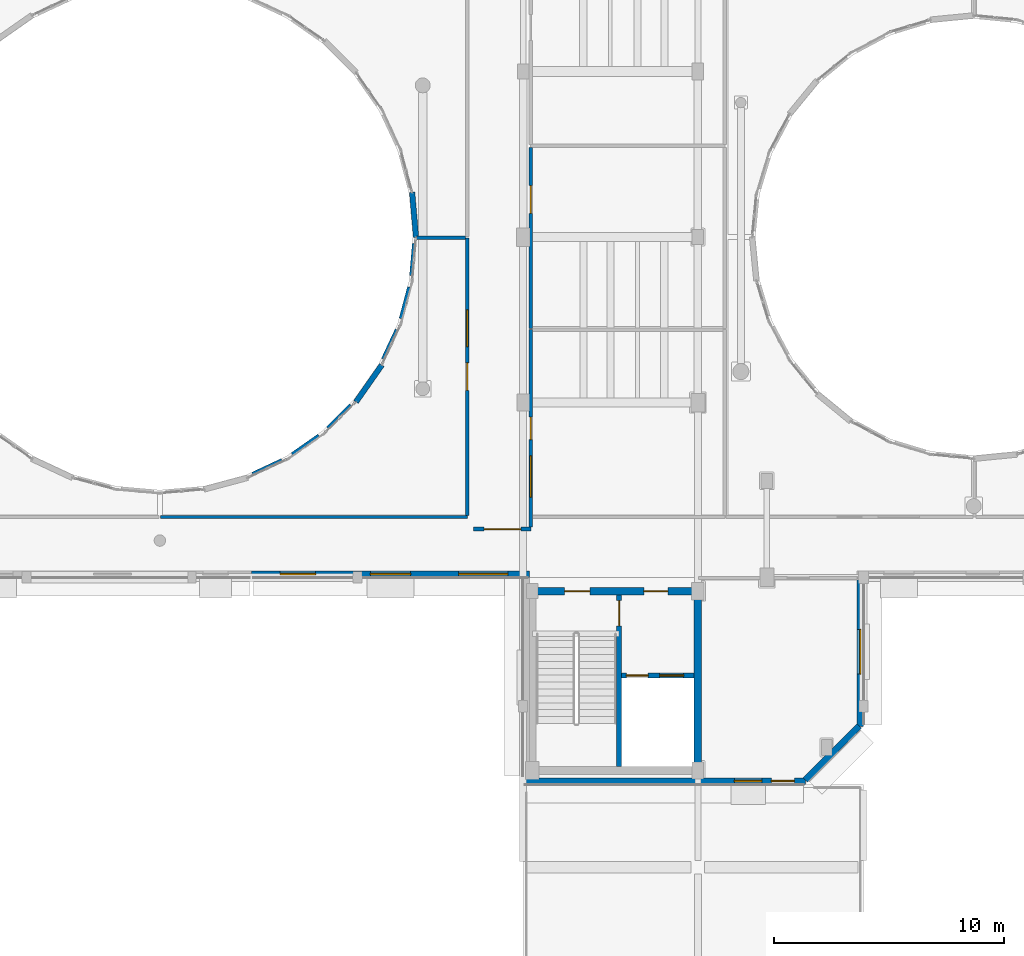
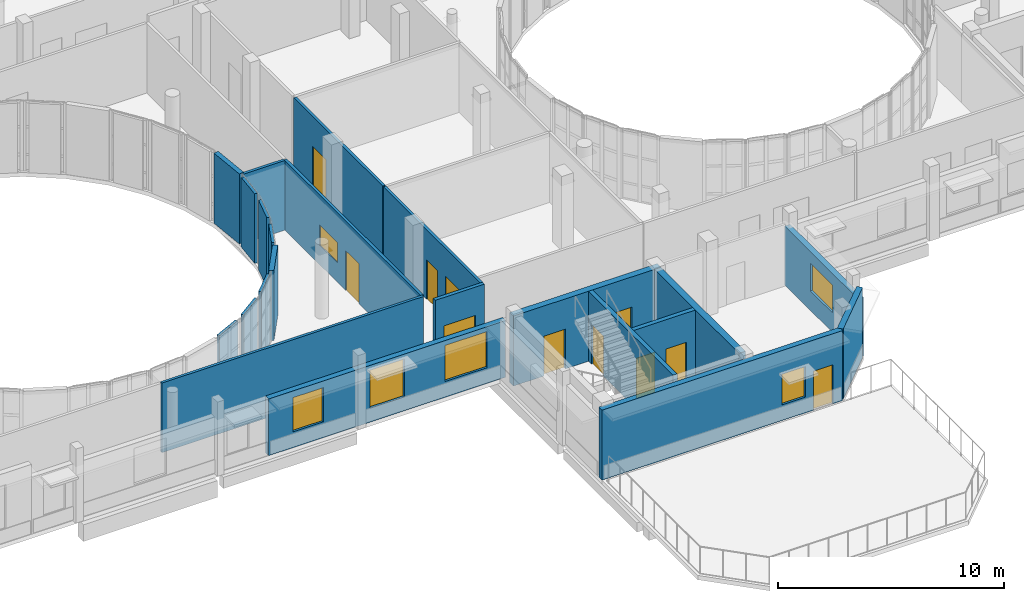
# One storey, part 68 of 89: 22 walls, 10 doors, 7 windows, 17 openings.
"""IFC4 building model written with IfcOpenShell, lengths in metres."""

import ifcopenshell
import ifcopenshell.guid

model = None  # the IFC model being written
_history = None  # IfcOwnerHistory: only IFC2X3 demands one
_inside = {}  # id of a spatial element -> (the spatial element, [elements in it])
_under = {}  # id of a project, library or spatial element -> (it, [spatial elements below it])
_declared = {}  # id of a project -> (the project, [libraries it declares])
_typed = {}  # id of a type object -> (the type object, [elements of that type])
_made_of = {}  # id of a material, layer set ... -> (it, [elements and type objects made of it])


def new_model(schema):
    """Start an empty IFC model of exactly this schema.

    Asked for "IFC4X3", IfcOpenShell would pick the latest addendum, in which some entities
    have other attributes; the version numbers below select the first issue.
    IFC2X3 requires an IfcOwnerHistory on every rooted entity: one is made here for all.
    """
    global model, _history
    if schema == "IFC4X3":
        model = ifcopenshell.file(schema_version=(4, 3, 0, 0))
    else:
        model = ifcopenshell.file(schema=schema)
    _inside.clear()
    _under.clear()
    _declared.clear()
    _typed.clear()
    _made_of.clear()
    _history = None
    if model.schema == "IFC2X3":
        org = make("IfcOrganization", Name="unknown")
        user = make(
            "IfcPersonAndOrganization",
            ThePerson=make("IfcPerson", FamilyName="unknown"),
            TheOrganization=org,
        )
        app = make(
            "IfcApplication",
            ApplicationDeveloper=org,
            Version="unknown",
            ApplicationFullName="unknown",
            ApplicationIdentifier="unknown",
        )
        _history = make(
            "IfcOwnerHistory",
            OwningUser=user,
            OwningApplication=app,
            ChangeAction="ADDED",
            CreationDate=0,
        )
    return model


def make(cls, **values):
    """One entity of the class cls with the attributes given. An attribute that is None is left unset."""
    return model.create_entity(
        cls, **{name: value for name, value in values.items() if value is not None}
    )


def rooted(cls, **values):
    """An entity with a GlobalId (a new one), such as an element, a storey or a relation."""
    return make(cls, GlobalId=ifcopenshell.guid.new(), OwnerHistory=_history, **values)


def si_unit(unit_type, name, prefix=None):
    """IfcSIUnit, for example si_unit("LENGTHUNIT", "METRE", prefix="MILLI")."""
    return make("IfcSIUnit", UnitType=unit_type, Prefix=prefix, Name=name)


def assignment(units):
    """IfcUnitAssignment: the units of a project."""
    return None if units is None else make("IfcUnitAssignment", Units=units)


def point(xyz):
    """IfcCartesianPoint."""
    return None if xyz is None else make("IfcCartesianPoint", Coordinates=xyz)


def direction(xyz):
    """IfcDirection."""
    return None if xyz is None else make("IfcDirection", DirectionRatios=xyz)


def frame(location, z_axis=None, x_axis=None):
    """IfcAxis2Placement3D, a coordinate frame: its origin and axes. An axis left out is left unset."""
    return make(
        "IfcAxis2Placement3D",
        Location=point(location),
        Axis=direction(z_axis),
        RefDirection=direction(x_axis),
    )


def frame_2d(location, x_axis=None):
    """IfcAxis2Placement2D, a coordinate frame in the plane: its origin and x axis."""
    return make(
        "IfcAxis2Placement2D", Location=point(location), RefDirection=direction(x_axis)
    )


def origin():
    """The frame at (0, 0, 0) with its axes left unset."""
    return frame((0.0, 0.0, 0.0))


def place(relative_to, where):
    """IfcLocalPlacement: puts the frame where relative to a parent placement (None: the world)."""
    return make(
        "IfcLocalPlacement", PlacementRelTo=relative_to, RelativePlacement=where
    )


def context(
    kind, dimensions, precision=None, world=None, true_north=None, identifier=None
):
    """IfcGeometricRepresentationContext, for example the 3D "Model" context."""
    return make(
        "IfcGeometricRepresentationContext",
        ContextIdentifier=identifier,
        ContextType=kind,
        CoordinateSpaceDimension=dimensions,
        Precision=precision,
        WorldCoordinateSystem=world,
        TrueNorth=true_north,
    )


def subcontext(parent, identifier, kind, view, scale=None):
    """IfcGeometricRepresentationSubContext, for example "Body" below "Model"."""
    return make(
        "IfcGeometricRepresentationSubContext",
        ContextIdentifier=identifier,
        ContextType=kind,
        ParentContext=parent,
        TargetScale=scale,
        TargetView=view,
    )


def project(units=None, contexts=None):
    """IfcProject with its units and contexts."""
    return rooted(
        "IfcProject",
        Name="project",
        RepresentationContexts=contexts,
        UnitsInContext=assignment(units),
    )


def spatial(cls, under=None, at=None, **own):
    """A site, building, storey or space (cls), placed at a placement, below another one or the project."""
    s = rooted(cls, ObjectPlacement=at, **own)
    if under is not None:
        _under.setdefault(under.id(), (under, []))[1].append(s)
    return s


def profile(cls, at=None, kind="AREA", **sizes):
    """A parametric profile (cls). Its sizes go by their IFC names, for example OverallWidth=200.0."""
    return make(cls, ProfileType=kind, Position=at, **sizes)


def rectangle(**sizes):
    """IfcRectangleProfileDef."""
    return profile("IfcRectangleProfileDef", **sizes)


def extrude(swept, where, along, depth):
    """IfcExtrudedAreaSolid: the profile swept, set in the frame where, extruded along a direction by depth."""
    return make(
        "IfcExtrudedAreaSolid",
        SweptArea=swept,
        Position=where,
        ExtrudedDirection=direction(along),
        Depth=depth,
    )


def shape(context_of_items, identifier, shape_type, items):
    """IfcShapeRepresentation: the items that make up one representation, for example the "Body"."""
    return make(
        "IfcShapeRepresentation",
        ContextOfItems=context_of_items,
        RepresentationIdentifier=identifier,
        RepresentationType=shape_type,
        Items=items,
    )


def material(Name=None, Category=None):
    """IfcMaterial."""
    return make("IfcMaterial", Name=Name, Category=Category)


def layer(
    of_material, thickness, ventilated=None, Name=None, Category=None, Priority=None
):
    """IfcMaterialLayer: one layer of a wall or slab, of a material (None: an air gap)."""
    return make(
        "IfcMaterialLayer",
        Material=of_material,
        LayerThickness=thickness,
        IsVentilated=ventilated,
        Name=Name,
        Category=Category,
        Priority=Priority,
    )


def layer_set(layers, Name=None):
    """IfcMaterialLayerSet."""
    return make("IfcMaterialLayerSet", MaterialLayers=layers, LayerSetName=Name)


def made_of(thing, what):
    """Note that an element or type object is made of a material, layer set ...; save() writes the relation."""
    if what is not None:
        _made_of.setdefault(what.id(), (what, []))[1].append(thing)
    return thing


def type_object(cls, material=None, **own):
    """A type object (cls), such as IfcWallType, which elements share."""
    return made_of(rooted(cls, **own), material)


def element(
    cls,
    number,
    at=None,
    inside=None,
    cuts=None,
    type_object=None,
    material=None,
    context=None,
    identifier="Body",
    shape_type=None,
    held_by="IfcProductDefinitionShape",
    body=None,
    shapes=None,
    **own,
):
    """One element of the class cls, such as IfcWall. Its Tag is "e" and its number.

    at: its placement. inside: the storey or other place that contains it. cuts: it is an
    opening in that element (IfcRelVoidsElement). A single representation is given by context,
    identifier, shape_type and body (its items); several are given by shapes. held_by: the class
    of the entity that holds the representations. save() writes the other relations.
    """
    e = rooted(cls, Tag="e%d" % number, ObjectPlacement=at, **own)
    if body is not None:
        shapes = [shape(context, identifier, shape_type, body)]
    if shapes is not None:
        e.Representation = make(held_by, Representations=shapes)
    if inside is not None:
        _inside.setdefault(inside.id(), (inside, []))[1].append(e)
    if cuts is not None:
        rooted(
            "IfcRelVoidsElement", RelatingBuildingElement=cuts, RelatedOpeningElement=e
        )
    if type_object is not None:
        _typed.setdefault(type_object.id(), (type_object, []))[1].append(e)
    return made_of(e, material)


def fill(opening, filler):
    """IfcRelFillsElement: the door or window that sits in an opening."""
    return rooted(
        "IfcRelFillsElement",
        RelatingOpeningElement=opening,
        RelatedBuildingElement=filler,
    )


def aggregate(whole, parts):
    """IfcRelAggregates: a whole, such as a stair, and the parts it consists of."""
    return rooted("IfcRelAggregates", RelatingObject=whole, RelatedObjects=parts)


def save(model, path):
    """Write the relations noted so far, then the file.

    IfcRelAggregates (storeys below a building ...), IfcRelContainedInSpatialStructure (elements
    in a storey), IfcRelDefinesByType, IfcRelAssociatesMaterial and IfcRelDeclares: one each for
    every whole, place, type object, material and project.
    """
    for whole, parts in _under.values():
        aggregate(whole, parts)
    for where, things in _inside.values():
        rooted(
            "IfcRelContainedInSpatialStructure",
            RelatedElements=things,
            RelatingStructure=where,
        )
    for kind, things in _typed.values():
        rooted("IfcRelDefinesByType", RelatedObjects=things, RelatingType=kind)
    for what, things in _made_of.values():
        rooted("IfcRelAssociatesMaterial", RelatedObjects=things, RelatingMaterial=what)
    for by, libraries in _declared.values():
        rooted("IfcRelDeclares", RelatingContext=by, RelatedDefinitions=libraries)
    model.write(path)


model = new_model("IFC4")

# Units and contexts
model_context = context("Model", 3, precision=1e-05, world=origin(), true_north=direction((0.0, 1.0)))
body_context = subcontext(model_context, "Body", "Model", "MODEL_VIEW")
ifc_project = project(units=[si_unit("LENGTHUNIT", "METRE"), si_unit("AREAUNIT", "SQUARE_METRE"), si_unit("VOLUMEUNIT", "CUBIC_METRE"), si_unit("PLANEANGLEUNIT", "RADIAN"), si_unit("MASSUNIT", "GRAM", prefix="KILO")], contexts=[model_context])

# Site, building, storey
site_placement = place(None, origin())
site = spatial("IfcSite", under=ifc_project, at=site_placement, CompositionType="ELEMENT")
building_placement = place(site_placement, origin())
building = spatial("IfcBuilding", under=site, at=building_placement, Name="Kelanivale Promenade Academy", CompositionType="ELEMENT")
storey_placement = place(building_placement, frame((0.0, 0.0, 12.199951171875)))
storey = spatial("IfcBuildingStorey", under=building, at=storey_placement, Name="L03", CompositionType="ELEMENT", Elevation=12.199951171875)

# Wall, openings, doors
ifc_material_1 = material(Name="Concrete C40/50", Category="concrete")
ifc_layer_1 = layer(ifc_material_1, 0.330078125)
ifc_layer_set_1 = layer_set([ifc_layer_1], Name="Concrete C40/50")
wall_type_1 = type_object("IfcWallType", Name="CW-S1 Wall 330mm", PredefinedType="SHEAR", material=ifc_layer_set_1)
wall_1_placement = place(storey_placement, frame((79.43505859375, 41.39990234375, 0.0), z_axis=(0.0, 0.0, 1.0), x_axis=(1.0, 0.0, 0.0)))
wall_1 = element("IfcWall", 1, at=wall_1_placement, inside=storey, type_object=wall_type_1, Name="CORE-1 RC shear wall N L03", PredefinedType="SHEAR", context=body_context, shape_type="SweptSolid", body=[
    extrude(rectangle(XDim=7.530029296875, YDim=0.330078125, at=frame_2d((3.76513671875, 0.0))), origin(), (0.0, 0.0, 1.0), 3.780029296875),
])
opening_1_placement = place(wall_1_placement, frame((5.014892578125, 0.0, 0.0)))
opening_1 = element("IfcOpeningElement", 2, at=opening_1_placement, cuts=wall_1, Name="Opening FD-CORE-1-LB-L03", PredefinedType="OPENING", context=body_context, shape_type="SweptSolid", body=[
    extrude(rectangle(XDim=1.050048828125, YDim=2.14990234375, at=frame_2d((0.52490234375, 1.074951171875))), frame((0.0, 0.175048828125, 0.0), z_axis=(0.0, -1.0, 0.0), x_axis=(1.0, 0.0, 0.0)), (0.0, 0.0, 1.0), 0.35009765625),
])
opening_2_placement = place(wall_1_placement, frame((1.56494140625, 0.0, 0.0)))
opening_2 = element("IfcOpeningElement", 3, at=opening_2_placement, cuts=wall_1, Name="Opening FD-CORE-1-ST-L03", PredefinedType="OPENING", context=body_context, shape_type="SweptSolid", body=[
    extrude(rectangle(XDim=1.10009765625, YDim=2.14990234375, at=frame_2d((0.550048828125, 1.074951171875))), frame((0.0, 0.175048828125, 0.0), z_axis=(0.0, -1.0, 0.0), x_axis=(1.0, 0.0, 0.0)), (0.0, 0.0, 1.0), 0.35009765625),
])
ifc_material_2 = material(Name="Fire-rated steel-core teak veneer", Category="steel")
door_type_1 = type_object("IfcDoorType", Name="DT-F01 Door 1100x2150", OperationType="NOTDEFINED", PredefinedType="DOOR", material=ifc_material_2)
door_1_placement = place(opening_2_placement, origin())
door_1 = element("IfcDoor", 4, at=door_1_placement, inside=storey, type_object=door_type_1, Name="CORE-1 protected stair fire door L03", OperationType="SINGLE_SWING_RIGHT", OverallHeight=2.14990234375, OverallWidth=1.10009765625, PredefinedType="DOOR", context=body_context, shape_type="SweptSolid", body=[
    extrude(rectangle(XDim=1.10009765625, YDim=2.14990234375, at=frame_2d((0.550048828125, 1.074951171875))), frame((0.0, 0.02490234375, 0.0), z_axis=(0.0, -1.0, 0.0), x_axis=(1.0, 0.0, 0.0)), (0.0, 0.0, 1.0), 0.050048828125),
])
fill(opening_2, door_1)
door_type_2 = type_object("IfcDoorType", Name="DT-F03 Door 1050x2150", OperationType="NOTDEFINED", PredefinedType="DOOR", material=ifc_material_2)
door_2_placement = place(opening_1_placement, origin())
door_2 = element("IfcDoor", 5, at=door_2_placement, inside=storey, type_object=door_type_2, Name="CORE-1 corridor-to-lobby fire door L03", OperationType="SINGLE_SWING_LEFT", OverallHeight=2.14990234375, OverallWidth=1.050048828125, PredefinedType="DOOR", context=body_context, shape_type="SweptSolid", body=[
    extrude(rectangle(XDim=1.050048828125, YDim=2.14990234375, at=frame_2d((0.52490234375, 1.074951171875))), frame((0.0, 0.02490234375, 0.0), z_axis=(0.0, -1.0, 0.0), x_axis=(1.0, 0.0, 0.0)), (0.0, 0.0, 1.0), 0.050048828125),
])
fill(opening_1, door_2)

# Wall
wall_2_placement = place(storey_placement, frame((86.800048828125, 33.764892578125, 0.0), z_axis=(0.0, 0.0, 1.0), x_axis=(0.0, 1.0, 0.0)))
element("IfcWall", 6, at=wall_2_placement, inside=storey, type_object=wall_type_1, Name="CORE-1 RC shear wall E L03", PredefinedType="SHEAR", context=body_context, shape_type="SweptSolid", body=[
    extrude(rectangle(XDim=7.47021484375, YDim=0.330078125, at=frame_2d((3.735107421875, 0.0))), origin(), (0.0, 0.0, 1.0), 3.780029296875),
])

# Wall, openings, doors
ifc_layer_2 = layer(ifc_material_1, 0.22509765625)
ifc_layer_set_2 = layer_set([ifc_layer_2], Name="Concrete C40/50")
wall_type_2 = type_object("IfcWallType", Name="CW-S2 Wall 225mm", PredefinedType="SHEAR", material=ifc_layer_set_2)
wall_3_placement = place(storey_placement, frame((83.485107421875, 37.72998046875, 0.0), z_axis=(0.0, 0.0, 1.0), x_axis=(1.0, 0.0, 0.0)))
wall_3 = element("IfcWall", 7, at=wall_3_placement, inside=storey, type_object=wall_type_2, Name="CORE-1 lift shaft front RC wall L03", PredefinedType="SHEAR", context=body_context, shape_type="SweptSolid", body=[
    extrude(rectangle(XDim=3.14990234375, YDim=0.22509765625, at=frame_2d((1.574951171875, 0.0))), origin(), (0.0, 0.0, 1.0), 3.780029296875),
])
opening_3_placement = place(wall_3_placement, frame((0.199951171875, 0.0, 0.0)))
opening_3 = element("IfcOpeningElement", 8, at=opening_3_placement, cuts=wall_3, Name="Opening LD-LF-FF1-L03", PredefinedType="OPENING", context=body_context, shape_type="SweptSolid", body=[
    extrude(rectangle(XDim=0.949951171875, YDim=2.14990234375, at=frame_2d((0.47509765625, 1.074951171875))), frame((0.0, 0.12255859375, 0.0), z_axis=(0.0, -1.0, 0.0), x_axis=(1.0, 0.0, 0.0)), (0.0, 0.0, 1.0), 0.2451171875),
])
opening_4_placement = place(wall_3_placement, frame((1.64990234375, 0.0, 0.0)))
opening_4 = element("IfcOpeningElement", 9, at=opening_4_placement, cuts=wall_3, Name="Opening LD-LF-P1-L03", PredefinedType="OPENING", context=body_context, shape_type="SweptSolid", body=[
    extrude(rectangle(XDim=1.050048828125, YDim=2.199951171875, at=frame_2d((0.52490234375, 1.10009765625))), frame((0.0, 0.12255859375, 0.0), z_axis=(0.0, -1.0, 0.0), x_axis=(1.0, 0.0, 0.0)), (0.0, 0.0, 1.0), 0.2451171875),
])
door_type_3 = type_object("IfcDoorType", Name="LD-FF1 Door 950x2150", OperationType="NOTDEFINED", PredefinedType="DOOR", material=ifc_material_2)
door_3_placement = place(opening_3_placement, origin())
door_3 = element("IfcDoor", 10, at=door_3_placement, inside=storey, type_object=door_type_3, Name="Firefighting lift landing door LD-LF-FF1-L03", OperationType="SLIDING_TO_LEFT", OverallHeight=2.14990234375, OverallWidth=0.949951171875, PredefinedType="DOOR", context=body_context, shape_type="SweptSolid", body=[
    extrude(rectangle(XDim=0.949951171875, YDim=2.14990234375, at=frame_2d((0.47509765625, 1.074951171875))), frame((0.0, 0.02490234375, 0.0), z_axis=(0.0, -1.0, 0.0), x_axis=(1.0, 0.0, 0.0)), (0.0, 0.0, 1.0), 0.050048828125),
])
fill(opening_3, door_3)
door_type_4 = type_object("IfcDoorType", Name="LD-PL1 Door 1050x2200", OperationType="NOTDEFINED", PredefinedType="DOOR", material=ifc_material_2)
door_4_placement = place(opening_4_placement, origin())
door_4 = element("IfcDoor", 11, at=door_4_placement, inside=storey, type_object=door_type_4, Name="Passenger lift landing door LD-LF-P1-L03", OperationType="SLIDING_TO_RIGHT", OverallHeight=2.199951171875, OverallWidth=1.050048828125, PredefinedType="DOOR", context=body_context, shape_type="SweptSolid", body=[
    extrude(rectangle(XDim=1.050048828125, YDim=2.199951171875, at=frame_2d((0.52490234375, 1.10009765625))), frame((0.0, 0.02490234375, 0.0), z_axis=(0.0, -1.0, 0.0), x_axis=(1.0, 0.0, 0.0)), (0.0, 0.0, 1.0), 0.050048828125),
])
fill(opening_4, door_4)

# Wall, opening, door
ifc_layer_3 = layer(ifc_material_1, 0.219970703125)
ifc_layer_set_3 = layer_set([ifc_layer_3], Name="Concrete C40/50")
wall_type_3 = type_object("IfcWallType", Name="CW-S3 Wall 220mm", PredefinedType="SHEAR", material=ifc_layer_set_3)
wall_4_placement = place(storey_placement, frame((83.375, 33.764892578125, 0.0), z_axis=(0.0, 0.0, 1.0), x_axis=(0.0, 1.0, 0.0)))
wall_4 = element("IfcWall", 12, at=wall_4_placement, inside=storey, type_object=wall_type_3, Name="CORE-1 stair-lobby dividing RC wall L03", PredefinedType="SHEAR", context=body_context, shape_type="SweptSolid", body=[
    extrude(rectangle(XDim=7.47021484375, YDim=0.219970703125, at=frame_2d((3.735107421875, 0.0))), origin(), (0.0, 0.0, 1.0), 3.780029296875),
])
opening_5_placement = place(wall_4_placement, frame((6.1201171875, 0.0, 0.0)))
opening_5 = element("IfcOpeningElement", 13, at=opening_5_placement, cuts=wall_4, Name="Opening FD-CORE-1-SL-L03", PredefinedType="OPENING", context=body_context, shape_type="SweptSolid", body=[
    extrude(rectangle(XDim=1.10009765625, YDim=2.14990234375, at=frame_2d((0.550048828125, 1.074951171875))), frame((0.0, 0.1201171875, 0.0), z_axis=(0.0, -1.0, 0.0), x_axis=(1.0, 0.0, 0.0)), (0.0, 0.0, 1.0), 0.239990234375),
])
door_5_placement = place(opening_5_placement, origin())
door_5 = element("IfcDoor", 14, at=door_5_placement, inside=storey, type_object=door_type_1, Name="CORE-1 lobby-to-stair fire door L03", OperationType="SINGLE_SWING_RIGHT", OverallHeight=2.14990234375, OverallWidth=1.10009765625, PredefinedType="DOOR", context=body_context, shape_type="SweptSolid", body=[
    extrude(rectangle(XDim=1.10009765625, YDim=2.14990234375, at=frame_2d((0.550048828125, 1.074951171875))), frame((0.0, 0.02490234375, 0.0), z_axis=(0.0, -1.0, 0.0), x_axis=(1.0, 0.0, 0.0)), (0.0, 0.0, 1.0), 0.050048828125),
])
fill(opening_5, door_5)

# Wall, opening, window
ifc_material_3 = material(Name="Insulated ivory stucco masonry wall 280 mm", Category="masonry")
ifc_layer_4 = layer(ifc_material_3, 0.280029296875)
ifc_layer_set_4 = layer_set([ifc_layer_4], Name="Insulated ivory stucco masonry wall 280 mm")
wall_type_4 = type_object("IfcWallType", Name="EW-02 Wall 280mm", PredefinedType="SOLIDWALL", material=ifc_layer_set_4)
wall_5_placement = place(storey_placement, frame((93.860107421875, 35.52197265625, 0.0), z_axis=(0.0, 0.0, 1.0), x_axis=(0.0, 1.0, 0.0)))
wall_5 = element("IfcWall", 15, at=wall_5_placement, inside=storey, type_object=wall_type_4, Name="L03 exterior facade wall EW-L03-ORT-0467", PredefinedType="SOLIDWALL", context=body_context, shape_type="SweptSolid", body=[
    extrude(rectangle(XDim=6.47802734375, YDim=0.280029296875, at=frame_2d((3.239013671875, 0.0))), origin(), (0.0, 0.0, 1.0), 3.175048828125),
])
opening_6_placement = place(wall_5_placement, frame((2.263916015625, 0.0, 1.050048828125)))
opening_6 = element("IfcOpeningElement", 16, at=opening_6_placement, cuts=wall_5, Name="Opening WT-22", PredefinedType="OPENING", context=body_context, shape_type="SweptSolid", body=[
    extrude(rectangle(XDim=1.949951171875, YDim=1.5, at=frame_2d((0.97509765625, 0.75))), frame((0.0, 0.14990234375, 0.0), z_axis=(0.0, -1.0, 0.0), x_axis=(1.0, 0.0, 0.0)), (0.0, 0.0, 1.0), 0.300048828125),
])
ifc_material_4 = material(Name="Bronze anodised aluminium frame with low-E laminated glass", Category="aluminium")
window_type_1 = type_object("IfcWindowType", Name="WT-22 Window 1950x1500", PartitioningType="SINGLE_PANEL", PredefinedType="WINDOW", material=ifc_material_4)
window_1_placement = place(opening_6_placement, origin())
window_1 = element("IfcWindow", 17, at=window_1_placement, inside=storey, type_object=window_type_1, Name="Window WT-22", OverallHeight=1.5, OverallWidth=1.949951171875, PartitioningType="SINGLE_PANEL", PredefinedType="WINDOW", context=body_context, shape_type="SweptSolid", body=[
    extrude(rectangle(XDim=1.949951171875, YDim=1.5, at=frame_2d((0.97509765625, 0.75))), frame((0.0, 0.030029296875, 0.0), z_axis=(0.0, -1.0, 0.0), x_axis=(1.0, 0.0, 0.0)), (0.0, 0.0, 1.0), 0.06005859375),
])
fill(opening_6, window_1)

# Wall, openings, windows
wall_6_placement = place(storey_placement, frame((67.386962890625, 42.139892578125, 0.0), z_axis=(0.0, 0.0, 1.0), x_axis=(1.0, 0.0, 0.0)))
wall_6 = element("IfcWall", 18, at=wall_6_placement, inside=storey, type_object=wall_type_4, Name="L03 exterior facade wall EW-L03-ORT-0496", PredefinedType="SOLIDWALL", context=body_context, shape_type="SweptSolid", body=[
    extrude(rectangle(XDim=12.093017578125, YDim=0.280029296875, at=frame_2d((6.04638671875, 0.0))), origin(), (0.0, 0.0, 1.0), 3.06005859375),
])
opening_7_placement = place(wall_6_placement, frame((1.240966796875, 0.0, 0.85009765625)))
opening_7 = element("IfcOpeningElement", 19, at=opening_7_placement, cuts=wall_6, Name="Opening WT-31", PredefinedType="OPENING", context=body_context, shape_type="SweptSolid", body=[
    extrude(rectangle(XDim=1.550048828125, YDim=1.85009765625, at=frame_2d((0.77490234375, 0.925048828125))), frame((0.0, 0.14990234375, 0.0), z_axis=(0.0, -1.0, 0.0), x_axis=(1.0, 0.0, 0.0)), (0.0, 0.0, 1.0), 0.300048828125),
])
opening_8_placement = place(wall_6_placement, frame((5.172119140625, 0.0, 0.75)))
opening_8 = element("IfcOpeningElement", 20, at=opening_8_placement, cuts=wall_6, Name="Opening WT-32", PredefinedType="OPENING", context=body_context, shape_type="SweptSolid", body=[
    extrude(rectangle(XDim=1.75, YDim=2.050048828125, at=frame_2d((0.875, 1.02490234375))), frame((0.0, 0.14990234375, 0.0), z_axis=(0.0, -1.0, 0.0), x_axis=(1.0, 0.0, 0.0)), (0.0, 0.0, 1.0), 0.300048828125),
])
opening_9_placement = place(wall_6_placement, frame((9.0029296875, 0.0, 0.85009765625)))
opening_9 = element("IfcOpeningElement", 21, at=opening_9_placement, cuts=wall_6, Name="Opening WT-33", PredefinedType="OPENING", context=body_context, shape_type="SweptSolid", body=[
    extrude(rectangle(XDim=2.14990234375, YDim=1.949951171875, at=frame_2d((1.074951171875, 0.97509765625))), frame((0.0, 0.14990234375, 0.0), z_axis=(0.0, -1.0, 0.0), x_axis=(1.0, 0.0, 0.0)), (0.0, 0.0, 1.0), 0.300048828125),
])
window_type_2 = type_object("IfcWindowType", Name="WT-31 Window 1550x1850", PartitioningType="SINGLE_PANEL", PredefinedType="WINDOW", material=ifc_material_4)
window_2_placement = place(opening_7_placement, origin())
window_2 = element("IfcWindow", 22, at=window_2_placement, inside=storey, type_object=window_type_2, Name="Window WT-31", OverallHeight=1.85009765625, OverallWidth=1.550048828125, PartitioningType="SINGLE_PANEL", PredefinedType="WINDOW", context=body_context, shape_type="SweptSolid", body=[
    extrude(rectangle(XDim=1.550048828125, YDim=1.85009765625, at=frame_2d((0.77490234375, 0.925048828125))), frame((0.0, 0.030029296875, 0.0), z_axis=(0.0, -1.0, 0.0), x_axis=(1.0, 0.0, 0.0)), (0.0, 0.0, 1.0), 0.06005859375),
])
fill(opening_7, window_2)
window_type_3 = type_object("IfcWindowType", Name="WT-32 Window 1750x2050", PartitioningType="SINGLE_PANEL", PredefinedType="WINDOW", material=ifc_material_4)
window_3_placement = place(opening_8_placement, origin())
window_3 = element("IfcWindow", 23, at=window_3_placement, inside=storey, type_object=window_type_3, Name="Window WT-32", OverallHeight=2.050048828125, OverallWidth=1.75, PartitioningType="SINGLE_PANEL", PredefinedType="WINDOW", context=body_context, shape_type="SweptSolid", body=[
    extrude(rectangle(XDim=1.75, YDim=2.050048828125, at=frame_2d((0.875, 1.02490234375))), frame((0.0, 0.030029296875, 0.0), z_axis=(0.0, -1.0, 0.0), x_axis=(1.0, 0.0, 0.0)), (0.0, 0.0, 1.0), 0.06005859375),
])
fill(opening_8, window_3)
window_type_4 = type_object("IfcWindowType", Name="WT-33 Window 2150x1950", PartitioningType="SINGLE_PANEL", PredefinedType="WINDOW", material=ifc_material_4)
window_4_placement = place(opening_9_placement, origin())
window_4 = element("IfcWindow", 24, at=window_4_placement, inside=storey, type_object=window_type_4, Name="Window WT-33", OverallHeight=1.949951171875, OverallWidth=2.14990234375, PartitioningType="SINGLE_PANEL", PredefinedType="WINDOW", context=body_context, shape_type="SweptSolid", body=[
    extrude(rectangle(XDim=2.14990234375, YDim=1.949951171875, at=frame_2d((1.074951171875, 0.97509765625))), frame((0.0, 0.030029296875, 0.0), z_axis=(0.0, -1.0, 0.0), x_axis=(1.0, 0.0, 0.0)), (0.0, 0.0, 1.0), 0.06005859375),
])
fill(opening_9, window_4)

# Wall, openings, door, window
wall_7_placement = place(storey_placement, frame((79.199951171875, 33.139892578125, 0.0), z_axis=(0.0, 0.0, 1.0), x_axis=(1.0, 0.0, 0.0)))
wall_7 = element("IfcWall", 25, at=wall_7_placement, inside=storey, type_object=wall_type_4, Name="L03 exterior facade wall EW-L03-ORT-0498", PredefinedType="SOLIDWALL", context=body_context, shape_type="SweptSolid", body=[
    extrude(rectangle(XDim=12.278076171875, YDim=0.280029296875, at=frame_2d((6.13916015625, 0.0))), origin(), (0.0, 0.0, 1.0), 3.780029296875),
])
opening_10_placement = place(wall_7_placement, frame((10.800048828125, 0.0, 0.0)))
opening_10 = element("IfcOpeningElement", 26, at=opening_10_placement, cuts=wall_7, Name="Opening XD-301", PredefinedType="OPENING", context=body_context, shape_type="SweptSolid", body=[
    extrude(rectangle(XDim=1.0, YDim=2.10009765625, at=frame_2d((0.5, 1.050048828125))), frame((0.0, 0.14990234375, 0.0), z_axis=(0.0, -1.0, 0.0), x_axis=(1.0, 0.0, 0.0)), (0.0, 0.0, 1.0), 0.300048828125),
])
opening_11_placement = place(wall_7_placement, frame((9.181884765625, 0.0, 0.85009765625)))
opening_11 = element("IfcOpeningElement", 27, at=opening_11_placement, cuts=wall_7, Name="Opening WT-05", PredefinedType="OPENING", context=body_context, shape_type="SweptSolid", body=[
    extrude(rectangle(XDim=1.199951171875, YDim=1.64990234375, at=frame_2d((0.60009765625, 0.824951171875))), frame((0.0, 0.14990234375, 0.0), z_axis=(0.0, -1.0, 0.0), x_axis=(1.0, 0.0, 0.0)), (0.0, 0.0, 1.0), 0.300048828125),
])
ifc_material_5 = material(Name="Bronze anodised aluminium and laminated glass", Category="aluminium")
door_type_5 = type_object("IfcDoorType", Name="DT-X08 Door 1000x2100", OperationType="NOTDEFINED", PredefinedType="DOOR", material=ifc_material_5)
door_6_placement = place(opening_10_placement, frame((1.0, 0.0, 0.0), z_axis=(0.0, 0.0, 1.0), x_axis=(-1.0, 0.0, 0.0)))
door_6 = element("IfcDoor", 28, at=door_6_placement, inside=storey, type_object=door_type_5, Name="L03 South Terrace Play Deck door XD-301", OperationType="SINGLE_SWING_LEFT", OverallHeight=2.10009765625, OverallWidth=1.0, PredefinedType="DOOR", context=body_context, shape_type="SweptSolid", body=[
    extrude(rectangle(XDim=1.0, YDim=2.10009765625, at=frame_2d((0.5, 1.050048828125))), frame((0.0, 0.02490234375, 0.0), z_axis=(0.0, -1.0, 0.0), x_axis=(1.0, 0.0, 0.0)), (0.0, 0.0, 1.0), 0.050048828125),
])
fill(opening_10, door_6)
window_type_5 = type_object("IfcWindowType", Name="WT-05 Window 1200x1650", PartitioningType="SINGLE_PANEL", PredefinedType="WINDOW", material=ifc_material_4)
window_5_placement = place(opening_11_placement, origin())
window_5 = element("IfcWindow", 29, at=window_5_placement, inside=storey, type_object=window_type_5, Name="Window WT-05", OverallHeight=1.64990234375, OverallWidth=1.199951171875, PartitioningType="SINGLE_PANEL", PredefinedType="WINDOW", context=body_context, shape_type="SweptSolid", body=[
    extrude(rectangle(XDim=1.199951171875, YDim=1.64990234375, at=frame_2d((0.60009765625, 0.824951171875))), frame((0.0, 0.030029296875, 0.0), z_axis=(0.0, -1.0, 0.0), x_axis=(1.0, 0.0, 0.0)), (0.0, 0.0, 1.0), 0.06005859375),
])
fill(opening_11, window_5)

# Walls
wall_8_placement = place(storey_placement, frame((91.466064453125, 33.18408203125, 0.0), z_axis=(0.0, 0.0, 1.0), x_axis=(0.707106781187, 0.707106781187, 0.0)))
element("IfcWall", 30, at=wall_8_placement, inside=storey, type_object=wall_type_4, Name="L03 exterior facade wall EW-L03-ORT-0499", PredefinedType="SOLIDWALL", context=body_context, shape_type="SweptSolid", body=[
    extrude(rectangle(XDim=3.3232421875, YDim=0.280029296875, at=frame_2d((1.66162109375, 0.0))), origin(), (0.0, 0.0, 1.0), 3.780029296875),
])
ifc_material_6 = material(Name="Insulated courtyard stucco masonry wall 240 mm", Category="masonry")
ifc_layer_5 = layer(ifc_material_6, 0.239990234375)
ifc_layer_set_5 = layer_set([ifc_layer_5], Name="Insulated courtyard stucco masonry wall 240 mm")
wall_type_5 = type_object("IfcWallType", Name="EW-04 Wall 240mm", PredefinedType="SOLIDWALL", material=ifc_layer_set_5)
wall_9_placement = place(storey_placement, frame((71.927001953125, 49.62890625, 0.0), z_axis=(0.0, 0.0, 1.0), x_axis=(0.573520663092, 0.819191094316, 0.0)))
element("IfcWall", 31, at=wall_9_placement, inside=storey, type_object=wall_type_5, Name="L03 round courtyard stucco wall", PredefinedType="SOLIDWALL", context=body_context, shape_type="SweptSolid", body=[
    extrude(rectangle(XDim=1.966796875, YDim=0.239990234375, at=frame_2d((0.9833984375, 0.0))), origin(), (0.0, 0.0, 1.0), 3.780029296875),
])
wall_10_placement = place(storey_placement, frame((74.541015625, 56.787109375, 0.0), z_axis=(0.0, 0.0, 1.0), x_axis=(-0.086865228015, 0.996220072154, 0.0)))
element("IfcWall", 32, at=wall_10_placement, inside=storey, type_object=wall_type_5, Name="L03 round courtyard stucco wall", PredefinedType="SOLIDWALL", context=body_context, shape_type="SweptSolid", body=[
    extrude(rectangle(XDim=1.96728515625, YDim=0.239990234375, at=frame_2d((0.983642578125, 0.0))), origin(), (0.0, 0.0, 1.0), 3.780029296875),
])

# Wall, opening, door
ifc_material_7 = material(Name="Autoclaved masonry blockwork 180 mm", Category="masonry")
ifc_layer_6 = layer(ifc_material_7, 0.179931640625)
ifc_layer_set_6 = layer_set([ifc_layer_6], Name="Autoclaved masonry blockwork 180 mm")
wall_type_6 = type_object("IfcWallType", Name="IW-02 Wall 180mm", PredefinedType="PARTITIONING", material=ifc_layer_set_6)
wall_11_placement = place(storey_placement, frame((77.050048828125, 44.10009765625, 0.0), z_axis=(0.0, 0.0, 1.0), x_axis=(1.0, 0.0, 0.0)))
wall_11 = element("IfcWall", 33, at=wall_11_placement, inside=storey, type_object=wall_type_6, Name="L03 cross-corridor fire wall", PredefinedType="PARTITIONING", context=body_context, shape_type="SweptSolid", body=[
    extrude(rectangle(XDim=2.5, YDim=0.179931640625, at=frame_2d((1.25, 0.0))), origin(), (0.0, 0.0, 1.0), 3.780029296875),
])
opening_12_placement = place(wall_11_placement, frame((0.449951171875, 0.0, 0.0)))
opening_12 = element("IfcOpeningElement", 34, at=opening_12_placement, cuts=wall_11, Name="Opening FD-L03-CC-144", PredefinedType="OPENING", context=body_context, shape_type="SweptSolid", body=[
    extrude(rectangle(XDim=1.60009765625, YDim=2.25, at=frame_2d((0.800048828125, 1.125))), frame((0.0, 0.10009765625, 0.0), z_axis=(0.0, -1.0, 0.0), x_axis=(1.0, 0.0, 0.0)), (0.0, 0.0, 1.0), 0.199951171875),
])
door_type_6 = type_object("IfcDoorType", Name="DT-F09 Door 1600x2250", OperationType="NOTDEFINED", PredefinedType="DOOR", material=ifc_material_2)
door_7_placement = place(opening_12_placement, origin())
door_7 = element("IfcDoor", 35, at=door_7_placement, inside=storey, type_object=door_type_6, Name="L03 cross-corridor fire door FD-L03-CC-144", OperationType="DOUBLE_DOOR_SINGLE_SWING", OverallHeight=2.25, OverallWidth=1.60009765625, PredefinedType="DOOR", context=body_context, shape_type="SweptSolid", body=[
    extrude(rectangle(XDim=1.60009765625, YDim=2.25, at=frame_2d((0.800048828125, 1.125))), frame((0.0, 0.02490234375, 0.0), z_axis=(0.0, -1.0, 0.0), x_axis=(1.0, 0.0, 0.0)), (0.0, 0.0, 1.0), 0.050048828125),
])
fill(opening_12, door_7)

# Wall, openings, door, window
ifc_material_8 = material(Name="Acoustic double-stud gypsum board partition 140 mm", Category="masonry")
ifc_layer_7 = layer(ifc_material_8, 0.139892578125)
ifc_layer_set_7 = layer_set([ifc_layer_7], Name="Acoustic double-stud gypsum board partition 140 mm")
wall_type_7 = type_object("IfcWallType", Name="IW-04 Wall 140mm", PredefinedType="PARTITIONING", material=ifc_layer_set_7)
wall_12_placement = place(storey_placement, frame((79.530029296875, 52.77001953125, 0.0), z_axis=(0.0, 0.0, 1.0), x_axis=(0.0, -1.0, 0.0)))
wall_12 = element("IfcWall", 36, at=wall_12_placement, inside=storey, type_object=wall_type_7, Name="L03 partition Secondary Classroom", PredefinedType="PARTITIONING", context=body_context, shape_type="SweptSolid", body=[
    extrude(rectangle(XDim=8.58203125, YDim=0.139892578125, at=frame_2d((4.291015625, 0.0))), origin(), (0.0, 0.0, 1.0), 3.755126953125),
])
opening_13_placement = place(wall_12_placement, frame((3.801025390625, 0.0, 0.0)))
opening_13 = element("IfcOpeningElement", 37, at=opening_13_placement, cuts=wall_12, Name="Opening ID-L03-150", PredefinedType="OPENING", context=body_context, shape_type="SweptSolid", body=[
    extrude(rectangle(XDim=0.97998046875, YDim=2.1201171875, at=frame_2d((0.489990234375, 1.06005859375))), frame((0.0, 0.080078125, 0.0), z_axis=(0.0, -1.0, 0.0), x_axis=(1.0, 0.0, 0.0)), (0.0, 0.0, 1.0), 0.159912109375),
])
opening_14_placement = place(wall_12_placement, frame((5.48095703125, 0.0, 1.050048828125)))
opening_14 = element("IfcOpeningElement", 38, at=opening_14_placement, cuts=wall_12, Name="Opening WT-I02", PredefinedType="OPENING", context=body_context, shape_type="SweptSolid", body=[
    extrude(rectangle(XDim=1.800048828125, YDim=1.199951171875, at=frame_2d((0.89990234375, 0.60009765625))), frame((0.0, 0.080078125, 0.0), z_axis=(0.0, -1.0, 0.0), x_axis=(1.0, 0.0, 0.0)), (0.0, 0.0, 1.0), 0.159912109375),
])
ifc_material_9 = material(Name="Solid-core tropical teak timber", Category="wood")
door_type_7 = type_object("IfcDoorType", Name="DT-I14 Door 980x2120", OperationType="NOTDEFINED", PredefinedType="DOOR", material=ifc_material_9)
door_8_placement = place(opening_13_placement, origin())
door_8 = element("IfcDoor", 39, at=door_8_placement, inside=storey, type_object=door_type_7, Name="Secondary Classroom door ID-L03-150", OperationType="SINGLE_SWING_LEFT", OverallHeight=2.1201171875, OverallWidth=0.97998046875, PredefinedType="DOOR", context=body_context, shape_type="SweptSolid", body=[
    extrude(rectangle(XDim=0.97998046875, YDim=2.1201171875, at=frame_2d((0.489990234375, 1.06005859375))), frame((0.0, 0.02490234375, 0.0), z_axis=(0.0, -1.0, 0.0), x_axis=(1.0, 0.0, 0.0)), (0.0, 0.0, 1.0), 0.050048828125),
])
fill(opening_13, door_8)
window_type_6 = type_object("IfcWindowType", Name="WT-I02 Window 1800x1200", PartitioningType="SINGLE_PANEL", PredefinedType="WINDOW", material=ifc_material_4)
window_6_placement = place(opening_14_placement, origin())
window_6 = element("IfcWindow", 40, at=window_6_placement, inside=storey, type_object=window_type_6, Name="Interior observation window WT-I02", OverallHeight=1.199951171875, OverallWidth=1.800048828125, PartitioningType="SINGLE_PANEL", PredefinedType="WINDOW", context=body_context, shape_type="SweptSolid", body=[
    extrude(rectangle(XDim=1.800048828125, YDim=1.199951171875, at=frame_2d((0.89990234375, 0.60009765625))), frame((0.0, 0.030029296875, 0.0), z_axis=(0.0, -1.0, 0.0), x_axis=(1.0, 0.0, 0.0)), (0.0, 0.0, 1.0), 0.06005859375),
])
fill(opening_14, window_6)

# Wall, opening, door
wall_13_placement = place(storey_placement, frame((79.530029296875, 60.701904296875, 0.0), z_axis=(0.0, 0.0, 1.0), x_axis=(0.0, -1.0, 0.0)))
wall_13 = element("IfcWall", 41, at=wall_13_placement, inside=storey, type_object=wall_type_7, Name="L03 partition Art Studio", PredefinedType="PARTITIONING", context=body_context, shape_type="SweptSolid", body=[
    extrude(rectangle(XDim=7.871826171875, YDim=0.139892578125, at=frame_2d((3.93603515625, 0.0))), origin(), (0.0, 0.0, 1.0), 3.755126953125),
])
opening_15_placement = place(wall_13_placement, frame((1.66796875, 0.0, 0.0)))
opening_15 = element("IfcOpeningElement", 42, at=opening_15_placement, cuts=wall_13, Name="Opening ID-L03-151", PredefinedType="OPENING", context=body_context, shape_type="SweptSolid", body=[
    extrude(rectangle(XDim=1.199951171875, YDim=2.14990234375, at=frame_2d((0.60009765625, 1.074951171875))), frame((0.0, 0.080078125, 0.0), z_axis=(0.0, -1.0, 0.0), x_axis=(1.0, 0.0, 0.0)), (0.0, 0.0, 1.0), 0.159912109375),
])
door_type_8 = type_object("IfcDoorType", Name="DT-I04 Door 1200x2150", OperationType="NOTDEFINED", PredefinedType="DOOR", material=ifc_material_9)
door_9_placement = place(opening_15_placement, origin())
door_9 = element("IfcDoor", 43, at=door_9_placement, inside=storey, type_object=door_type_8, Name="Art Studio door ID-L03-151", OperationType="SINGLE_SWING_RIGHT", OverallHeight=2.14990234375, OverallWidth=1.199951171875, PredefinedType="DOOR", context=body_context, shape_type="SweptSolid", body=[
    extrude(rectangle(XDim=1.199951171875, YDim=2.14990234375, at=frame_2d((0.60009765625, 1.074951171875))), frame((0.0, 0.02490234375, 0.0), z_axis=(0.0, -1.0, 0.0), x_axis=(1.0, 0.0, 0.0)), (0.0, 0.0, 1.0), 0.050048828125),
])
fill(opening_15, door_9)

# Wall
wall_14_placement = place(storey_placement, frame((63.429931640625, 44.6298828125, 0.0), z_axis=(0.0, 0.0, 1.0), x_axis=(1.0, 0.0, 0.0)))
element("IfcWall", 44, at=wall_14_placement, inside=storey, type_object=wall_type_7, Name="L03 partition Art Studio Courtyard South", PredefinedType="PARTITIONING", context=body_context, shape_type="SweptSolid", body=[
    extrude(rectangle(XDim=13.340087890625, YDim=0.139892578125, at=frame_2d((6.669921875, 0.0))), origin(), (0.0, 0.0, 1.0), 3.755126953125),
])

# Wall, openings, door, window
wall_15_placement = place(storey_placement, frame((76.77001953125, 44.697998046875, 0.0), z_axis=(0.0, 0.0, 1.0), x_axis=(0.0, 1.0, 0.0)))
wall_15 = element("IfcWall", 45, at=wall_15_placement, inside=storey, type_object=wall_type_7, Name="L03 partition Art Studio Courtyard South", PredefinedType="PARTITIONING", context=body_context, shape_type="SweptSolid", body=[
    extrude(rectangle(XDim=12.072021484375, YDim=0.139892578125, at=frame_2d((6.0361328125, 0.0))), origin(), (0.0, 0.0, 1.0), 3.755126953125),
])
opening_16_placement = place(wall_15_placement, frame((5.43603515625, 0.0, 0.0)))
opening_16 = element("IfcOpeningElement", 46, at=opening_16_placement, cuts=wall_15, Name="Opening ID-L03-155", PredefinedType="OPENING", context=body_context, shape_type="SweptSolid", body=[
    extrude(rectangle(XDim=1.199951171875, YDim=2.14990234375, at=frame_2d((0.60009765625, 1.074951171875))), frame((0.0, 0.080078125, 0.0), z_axis=(0.0, -1.0, 0.0), x_axis=(1.0, 0.0, 0.0)), (0.0, 0.0, 1.0), 0.159912109375),
])
opening_17_placement = place(wall_15_placement, frame((7.3359375, 0.0, 1.050048828125)))
opening_17 = element("IfcOpeningElement", 47, at=opening_17_placement, cuts=wall_15, Name="Opening WT-I01", PredefinedType="OPENING", context=body_context, shape_type="SweptSolid", body=[
    extrude(rectangle(XDim=1.60009765625, YDim=1.10009765625, at=frame_2d((0.800048828125, 0.550048828125))), frame((0.0, 0.080078125, 0.0), z_axis=(0.0, -1.0, 0.0), x_axis=(1.0, 0.0, 0.0)), (0.0, 0.0, 1.0), 0.159912109375),
])
door_10_placement = place(opening_16_placement, origin())
door_10 = element("IfcDoor", 48, at=door_10_placement, inside=storey, type_object=door_type_8, Name="Art Studio Courtyard South door ID-L03-155", OperationType="SINGLE_SWING_RIGHT", OverallHeight=2.14990234375, OverallWidth=1.199951171875, PredefinedType="DOOR", context=body_context, shape_type="SweptSolid", body=[
    extrude(rectangle(XDim=1.199951171875, YDim=2.14990234375, at=frame_2d((0.60009765625, 1.074951171875))), frame((0.0, 0.02490234375, 0.0), z_axis=(0.0, -1.0, 0.0), x_axis=(1.0, 0.0, 0.0)), (0.0, 0.0, 1.0), 0.050048828125),
])
fill(opening_16, door_10)
window_type_7 = type_object("IfcWindowType", Name="WT-I01 Window 1600x1100", PartitioningType="SINGLE_PANEL", PredefinedType="WINDOW", material=ifc_material_4)
window_7_placement = place(opening_17_placement, origin())
window_7 = element("IfcWindow", 49, at=window_7_placement, inside=storey, type_object=window_type_7, Name="Interior observation window WT-I01", OverallHeight=1.10009765625, OverallWidth=1.60009765625, PartitioningType="SINGLE_PANEL", PredefinedType="WINDOW", context=body_context, shape_type="SweptSolid", body=[
    extrude(rectangle(XDim=1.60009765625, YDim=1.10009765625, at=frame_2d((0.800048828125, 0.550048828125))), frame((0.0, 0.030029296875, 0.0), z_axis=(0.0, -1.0, 0.0), x_axis=(1.0, 0.0, 0.0)), (0.0, 0.0, 1.0), 0.06005859375),
])
fill(opening_17, window_7)

# Walls
wall_16_placement = place(storey_placement, frame((76.701904296875, 56.77001953125, 0.0), z_axis=(0.0, 0.0, 1.0), x_axis=(-1.0, 0.0, 0.0)))
element("IfcWall", 50, at=wall_16_placement, inside=storey, type_object=wall_type_7, Name="L03 partition Art Studio Courtyard South", PredefinedType="PARTITIONING", context=body_context, shape_type="SweptSolid", body=[
    extrude(rectangle(XDim=2.1318359375, YDim=0.139892578125, at=frame_2d((1.06591796875, 0.0))), origin(), (0.0, 0.0, 1.0), 3.755126953125),
])
wall_17_placement = place(storey_placement, frame((74.446044921875, 56.52294921875, 0.0), z_axis=(0.0, 0.0, 1.0), x_axis=(-0.086916960031, -0.996215560037, 0.0)))
element("IfcWall", 51, at=wall_17_placement, inside=storey, type_object=wall_type_7, Name="L03 partition Art Studio Courtyard South", PredefinedType="PARTITIONING", context=body_context, shape_type="SweptSolid", body=[
    extrude(rectangle(XDim=1.393310546875, YDim=0.139892578125, at=frame_2d((0.69677734375, 0.0))), origin(), (0.0, 0.0, 1.0), 3.755126953125),
])
wall_18_placement = place(storey_placement, frame((74.235107421875, 54.6279296875, 0.0), z_axis=(0.0, 0.0, 1.0), x_axis=(-0.258491202719, -0.966013611766, 0.0)))
element("IfcWall", 52, at=wall_18_placement, inside=storey, type_object=wall_type_7, Name="L03 partition Art Studio Courtyard South", PredefinedType="PARTITIONING", context=body_context, shape_type="SweptSolid", body=[
    extrude(rectangle(XDim=1.412109375, YDim=0.139892578125, at=frame_2d((0.7060546875, 0.0))), origin(), (0.0, 0.0, 1.0), 3.755126953125),
])
wall_19_placement = place(storey_placement, frame((73.694091796875, 52.779052734375, 0.0), z_axis=(0.0, 0.0, 1.0), x_axis=(-0.423348930736, -0.905966711775, 0.0)))
element("IfcWall", 53, at=wall_19_placement, inside=storey, type_object=wall_type_7, Name="L03 partition Art Studio Courtyard South", PredefinedType="PARTITIONING", context=body_context, shape_type="SweptSolid", body=[
    extrude(rectangle(XDim=1.412841796875, YDim=0.139892578125, at=frame_2d((0.70654296875, 0.0))), origin(), (0.0, 0.0, 1.0), 3.755126953125),
])
wall_20_placement = place(storey_placement, frame((71.697021484375, 49.5009765625, 0.0), z_axis=(0.0, 0.0, 1.0), x_axis=(-0.707106781187, -0.707106781187, 0.0)))
element("IfcWall", 54, at=wall_20_placement, inside=storey, type_object=wall_type_7, Name="L03 partition Art Studio Courtyard South", PredefinedType="PARTITIONING", context=body_context, shape_type="SweptSolid", body=[
    extrude(rectangle(XDim=1.411376953125, YDim=0.139892578125, at=frame_2d((0.70556640625, 0.0))), origin(), (0.0, 0.0, 1.0), 3.755126953125),
])
wall_21_placement = place(storey_placement, frame((70.304931640625, 48.172119140625, 0.0), z_axis=(0.0, 0.0, 1.0), x_axis=(-0.819077743108, -0.57368253481, 0.0)))
element("IfcWall", 55, at=wall_21_placement, inside=storey, type_object=wall_type_7, Name="L03 partition Art Studio Courtyard South", PredefinedType="PARTITIONING", context=body_context, shape_type="SweptSolid", body=[
    extrude(rectangle(XDim=1.413818359375, YDim=0.139892578125, at=frame_2d((0.70703125, 0.0))), origin(), (0.0, 0.0, 1.0), 3.755126953125),
])
wall_22_placement = place(storey_placement, frame((68.700927734375, 47.10400390625, 0.0), z_axis=(0.0, 0.0, 1.0), x_axis=(-0.906032979506, -0.423207088844, 0.0)))
element("IfcWall", 56, at=wall_22_placement, inside=storey, type_object=wall_type_7, Name="L03 partition Art Studio Courtyard South", PredefinedType="PARTITIONING", context=body_context, shape_type="SweptSolid", body=[
    extrude(rectangle(XDim=1.412841796875, YDim=0.139892578125, at=frame_2d((0.70654296875, 0.0))), origin(), (0.0, 0.0, 1.0), 3.755126953125),
])

save(model, "model.ifc")
